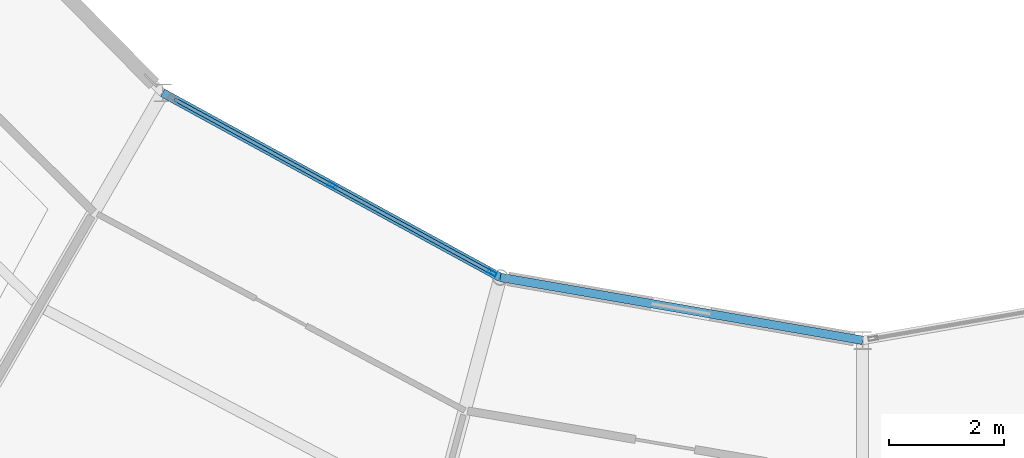
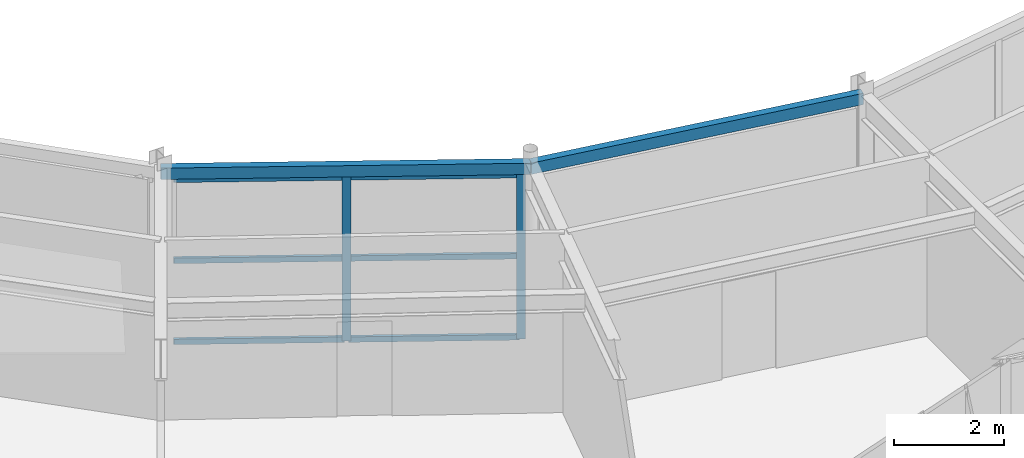
# One storey, part 30 of 148: 8 members, 2 beams, 1 element without a shape of its own.
"""IFC4 building model written with IfcOpenShell, lengths in metres."""

from ifc_helpers import new_model, si_unit, direction, frame, origin, origin_2d, place, context, subcontext, project, spatial, hollow_rectangle, extrude, material, material_profile, profile_set, type_object, element, aggregate, save


model = new_model("IFC4")

# Units and contexts
model_context = context("Model", 3, precision=1e-05, world=origin(), true_north=direction((0.0, 1.0)))
body_context = subcontext(model_context, "Body", "Model", "MODEL_VIEW")
ifc_project = project(units=[si_unit("LENGTHUNIT", "METRE"), si_unit("AREAUNIT", "SQUARE_METRE"), si_unit("VOLUMEUNIT", "CUBIC_METRE"), si_unit("PLANEANGLEUNIT", "RADIAN"), si_unit("MASSUNIT", "GRAM", prefix="KILO")], contexts=[model_context])

# Site, building, storey
site_placement = place(None, origin())
site = spatial("IfcSite", under=ifc_project, at=site_placement, CompositionType="ELEMENT")
building_placement = place(site_placement, origin())
building = spatial("IfcBuilding", under=site, at=building_placement, Name="Karori Crest Natural Sciences Institute", CompositionType="ELEMENT")
storey_placement = place(building_placement, frame((0.0, 0.0, 4.89990234375)))
storey = spatial("IfcBuildingStorey", under=building, at=storey_placement, Name="L01", CompositionType="ELEMENT", Elevation=4.89990234375)

# Beams
ifc_material_1 = material(Name="Hollow structural steel AS/NZS 1163 Grade C350", Category="steel")
ifc_material_profile_1 = material_profile(ifc_material_1, hollow_rectangle(XDim=0.14990234375, YDim=0.25, WallThickness=0.009033203125, at=origin_2d()), Name="RHS250x150x9")
ifc_profile_set_1 = profile_set([ifc_material_profile_1], Name="Hollow structural steel AS/NZS 1163 Grade C350")
beam_type = type_object("IfcBeamType", Name="BT-16", PredefinedType="SPANDREL", material=ifc_profile_set_1)
beam_1_placement = place(storey_placement, frame((54.199951171875, 22.013916015625, 3.7900390625), z_axis=(0.877461157042, -0.479647701842, 0.0), x_axis=(0.479647701842, 0.877461157042, 0.0)))
element("IfcBeam", 1, at=beam_1_placement, inside=storey, type_object=beam_type, Name="Beam B-0241", PredefinedType="SPANDREL", context=body_context, shape_type="SweptSolid", body=[
    extrude(hollow_rectangle(XDim=0.14990234375, YDim=0.25, WallThickness=0.009033203125, at=origin_2d()), origin(), (0.0, 0.0, 1.0), 6.70654296875),
])
beam_2_placement = place(storey_placement, frame((60.084716796875, 18.797119140625, 3.7900390625), z_axis=(0.985241372425, -0.17117078624, 0.0), x_axis=(0.17117078624, 0.985241372425, 0.0)))
element("IfcBeam", 2, at=beam_2_placement, inside=storey, type_object=beam_type, Name="Beam B-0245", PredefinedType="SPANDREL", context=body_context, shape_type="SweptSolid", body=[
    extrude(hollow_rectangle(XDim=0.14990234375, YDim=0.25, WallThickness=0.009033203125, at=origin_2d()), origin(), (0.0, 0.0, 1.0), 6.40966796875),
])

# Curtain wall, members
ifc_material_2 = material(Name="Anodised architectural aluminium 6063-T6", Category="aluminium")
curtain_wall_type = type_object("IfcCurtainWallType", Name="CWT-12", PredefinedType="NOTDEFINED", material=ifc_material_2)
curtain_wall_placement = place(storey_placement, origin())
curtain_wall = element("IfcCurtainWall", 3, at=curtain_wall_placement, inside=storey, type_object=curtain_wall_type, Name="Curtain wall CW-0054", PredefinedType="NOTDEFINED")
ifc_material_profile_2 = material_profile(ifc_material_2, hollow_rectangle(XDim=0.06494140625, YDim=0.159912109375, WallThickness=0.00390625, at=origin_2d()), Name="CWM160x65x4")
ifc_profile_set_2 = profile_set([ifc_material_profile_2], Name="Anodised architectural aluminium 6063-T6")
member_type_1 = type_object("IfcMemberType", Name="CWM-01", PredefinedType="MULLION", material=ifc_profile_set_2)
member_1_placement = place(storey_placement, frame((57.15869140625, 20.396728515625, 0.0), z_axis=(0.0, 0.0, 1.0), x_axis=(0.479643389875, 0.877463514084, 0.0)))
member_1 = element("IfcMember", 4, at=member_1_placement, type_object=member_type_1, Name="CW-0054 mullion 2", PredefinedType="MULLION", context=body_context, shape_type="SweptSolid", body=[
    extrude(hollow_rectangle(XDim=0.06494140625, YDim=0.159912109375, WallThickness=0.00390625, at=origin_2d()), origin(), (0.0, 0.0, 1.0), 3.650146484375),
])
member_2_placement = place(storey_placement, frame((59.938232421875, 18.877197265625, 0.0), z_axis=(0.0, 0.0, 1.0), x_axis=(0.479643389875, 0.877463514084, 0.0)))
member_2 = element("IfcMember", 5, at=member_2_placement, type_object=member_type_1, Name="CW-0054 mullion 3", PredefinedType="MULLION", context=body_context, shape_type="SweptSolid", body=[
    extrude(hollow_rectangle(XDim=0.06494140625, YDim=0.159912109375, WallThickness=0.00390625, at=origin_2d()), origin(), (0.0, 0.0, 1.0), 3.650146484375),
])
ifc_material_profile_3 = material_profile(ifc_material_2, hollow_rectangle(XDim=0.06005859375, YDim=0.1201171875, WallThickness=0.00390625, at=origin_2d()), Name="CWT120x60x4")
ifc_profile_set_3 = profile_set([ifc_material_profile_3], Name="Anodised architectural aluminium 6063-T6")
member_type_2 = type_object("IfcMemberType", Name="CWT-TR1", PredefinedType="USERDEFINED", material=ifc_profile_set_3)
member_3_placement = place(storey_placement, frame((54.40771484375, 21.900390625, 0.030029296875), z_axis=(0.877477226723, -0.479618303011, 0.0), x_axis=(0.479618303011, 0.877477226723, 0.0)))
member_3 = element("IfcMember", 6, at=member_3_placement, type_object=member_type_2, Name="CW-0054 transom 1.1", ObjectType="TRANSOM", PredefinedType="USERDEFINED", context=body_context, shape_type="SweptSolid", body=[
    extrude(hollow_rectangle(XDim=0.06005859375, YDim=0.1201171875, WallThickness=0.00390625, at=origin_2d()), origin(), (0.0, 0.0, 1.0), 3.1025390625),
])
member_4_placement = place(storey_placement, frame((54.40771484375, 21.900390625, 1.8251953125), z_axis=(0.877477226723, -0.479618303011, 0.0), x_axis=(0.479618303011, 0.877477226723, 0.0)))
member_4 = element("IfcMember", 7, at=member_4_placement, type_object=member_type_2, Name="CW-0054 transom 1.2", ObjectType="TRANSOM", PredefinedType="USERDEFINED", context=body_context, shape_type="SweptSolid", body=[
    extrude(hollow_rectangle(XDim=0.06005859375, YDim=0.1201171875, WallThickness=0.00390625, at=origin_2d()), origin(), (0.0, 0.0, 1.0), 3.1025390625),
])
member_5_placement = place(storey_placement, frame((54.40771484375, 21.900390625, 3.6201171875), z_axis=(0.877477226723, -0.479618303011, 0.0), x_axis=(0.479618303011, 0.877477226723, 0.0)))
member_5 = element("IfcMember", 8, at=member_5_placement, type_object=member_type_2, Name="CW-0054 transom 1.3", ObjectType="TRANSOM", PredefinedType="USERDEFINED", context=body_context, shape_type="SweptSolid", body=[
    extrude(hollow_rectangle(XDim=0.06005859375, YDim=0.1201171875, WallThickness=0.00390625, at=origin_2d()), origin(), (0.0, 0.0, 1.0), 3.1025390625),
])
member_6_placement = place(storey_placement, frame((57.187255859375, 20.381103515625, 0.030029296875), z_axis=(0.877444108679, -0.479678888576, 0.0), x_axis=(0.479678888576, 0.877444108679, 0.0)))
member_6 = element("IfcMember", 9, at=member_6_placement, type_object=member_type_2, Name="CW-0054 transom 2.1", ObjectType="TRANSOM", PredefinedType="USERDEFINED", context=body_context, shape_type="SweptSolid", body=[
    extrude(hollow_rectangle(XDim=0.06005859375, YDim=0.1201171875, WallThickness=0.00390625, at=origin_2d()), origin(), (0.0, 0.0, 1.0), 3.102783203125),
])
member_7_placement = place(storey_placement, frame((57.187255859375, 20.381103515625, 1.8251953125), z_axis=(0.877444108679, -0.479678888576, 0.0), x_axis=(0.479678888576, 0.877444108679, 0.0)))
member_7 = element("IfcMember", 10, at=member_7_placement, type_object=member_type_2, Name="CW-0054 transom 2.2", ObjectType="TRANSOM", PredefinedType="USERDEFINED", context=body_context, shape_type="SweptSolid", body=[
    extrude(hollow_rectangle(XDim=0.06005859375, YDim=0.1201171875, WallThickness=0.00390625, at=origin_2d()), origin(), (0.0, 0.0, 1.0), 3.102783203125),
])
member_8_placement = place(storey_placement, frame((57.187255859375, 20.381103515625, 3.6201171875), z_axis=(0.877444108679, -0.479678888576, 0.0), x_axis=(0.479678888576, 0.877444108679, 0.0)))
member_8 = element("IfcMember", 11, at=member_8_placement, type_object=member_type_2, Name="CW-0054 transom 2.3", ObjectType="TRANSOM", PredefinedType="USERDEFINED", context=body_context, shape_type="SweptSolid", body=[
    extrude(hollow_rectangle(XDim=0.06005859375, YDim=0.1201171875, WallThickness=0.00390625, at=origin_2d()), origin(), (0.0, 0.0, 1.0), 3.102783203125),
])
aggregate(curtain_wall, [member_1, member_2, member_3, member_4, member_5, member_6, member_7, member_8])

save(model, "model.ifc")
